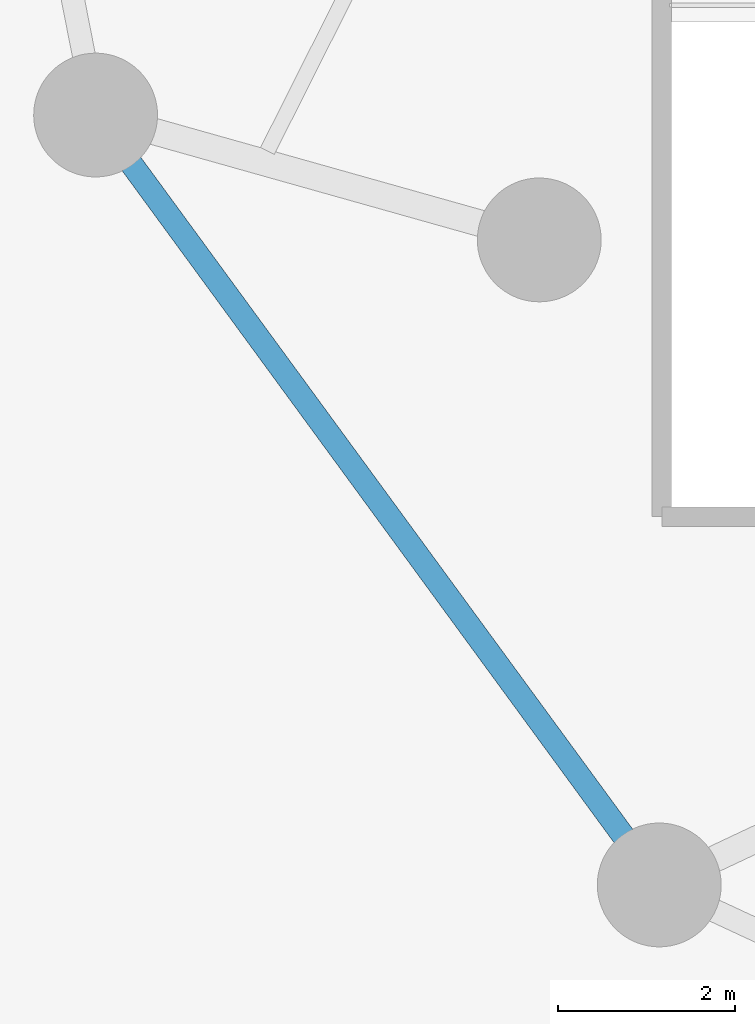
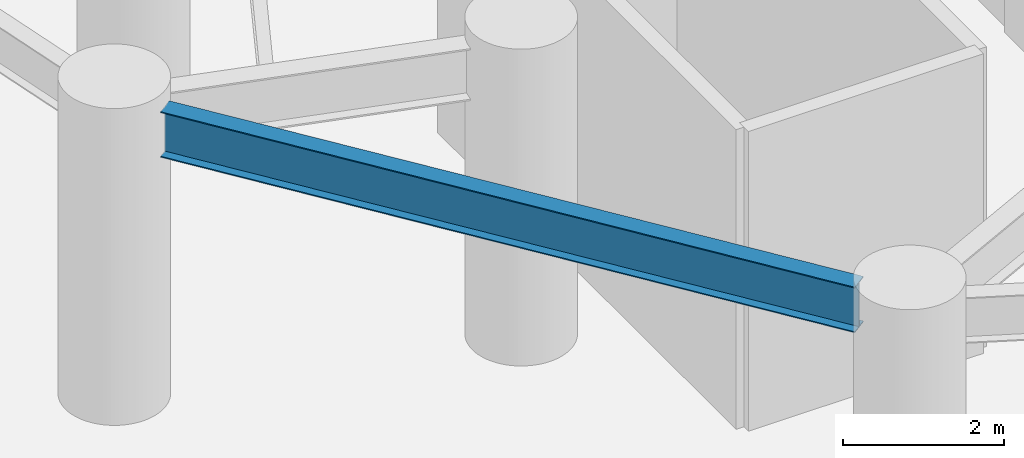
# One storey, part 4 of 32: 1 beam.
"""IFC4 building model written with IfcOpenShell, lengths in metres."""

from ifc_helpers import new_model, si_unit, direction, frame, origin, origin_2d, place, context, subcontext, project, spatial, i_section, extrude, material, material_profile, profile_set, type_object, element, save


model = new_model("IFC4")

# Units and contexts
model_context = context("Model", 3, precision=1e-05, world=origin(), true_north=direction((0.0, 1.0)))
body_context = subcontext(model_context, "Body", "Model", "MODEL_VIEW")
ifc_project = project(units=[si_unit("LENGTHUNIT", "METRE"), si_unit("AREAUNIT", "SQUARE_METRE"), si_unit("VOLUMEUNIT", "CUBIC_METRE"), si_unit("PLANEANGLEUNIT", "RADIAN"), si_unit("MASSUNIT", "GRAM", prefix="KILO")], contexts=[model_context])

# Site, building, storey
site_placement = place(None, origin())
site = spatial("IfcSite", under=ifc_project, at=site_placement, CompositionType="ELEMENT")
building_placement = place(site_placement, origin())
building = spatial("IfcBuilding", under=site, at=building_placement, Name="Vorneva Point Tower", CompositionType="ELEMENT")
storey_placement = place(building_placement, frame((0.0, 0.0, 19.199951171875)))
storey = spatial("IfcBuildingStorey", under=building, at=storey_placement, Name="L04", CompositionType="ELEMENT", Elevation=19.199951171875)

# Beam
ifc_material = material(Name="Steel S355", Category="steel")
ifc_material_profile = material_profile(ifc_material, i_section(OverallWidth=0.260009765625, OverallDepth=0.69091796875, WebThickness=0.011962890625, FlangeThickness=0.015380859375, at=origin_2d()), Name="70B1")
ifc_profile_set = profile_set([ifc_material_profile], Name="Steel S355")
beam_type = type_object("IfcBeamType", Name="BM-SPN-70B1", PredefinedType="SPANDREL", material=ifc_profile_set)
beam_placement = place(storey_placement, frame((12.0927734375, 20.27685546875, 4.194580078125), z_axis=(0.590724084882, -0.806873630465, 0.0), x_axis=(0.806873630465, 0.590724084882, 0.0)))
element("IfcBeam", 1, at=beam_placement, inside=storey, type_object=beam_type, Name="L04 Perimeter Spandrel Ring Beam 10", PredefinedType="SPANDREL", context=body_context, shape_type="SweptSolid", body=[
    extrude(i_section(OverallWidth=0.260009765625, OverallDepth=0.69091796875, WebThickness=0.011962890625, FlangeThickness=0.015380859375, at=origin_2d()), origin(), (0.0, 0.0, 1.0), 9.4189453125),
])

save(model, "model.ifc")
